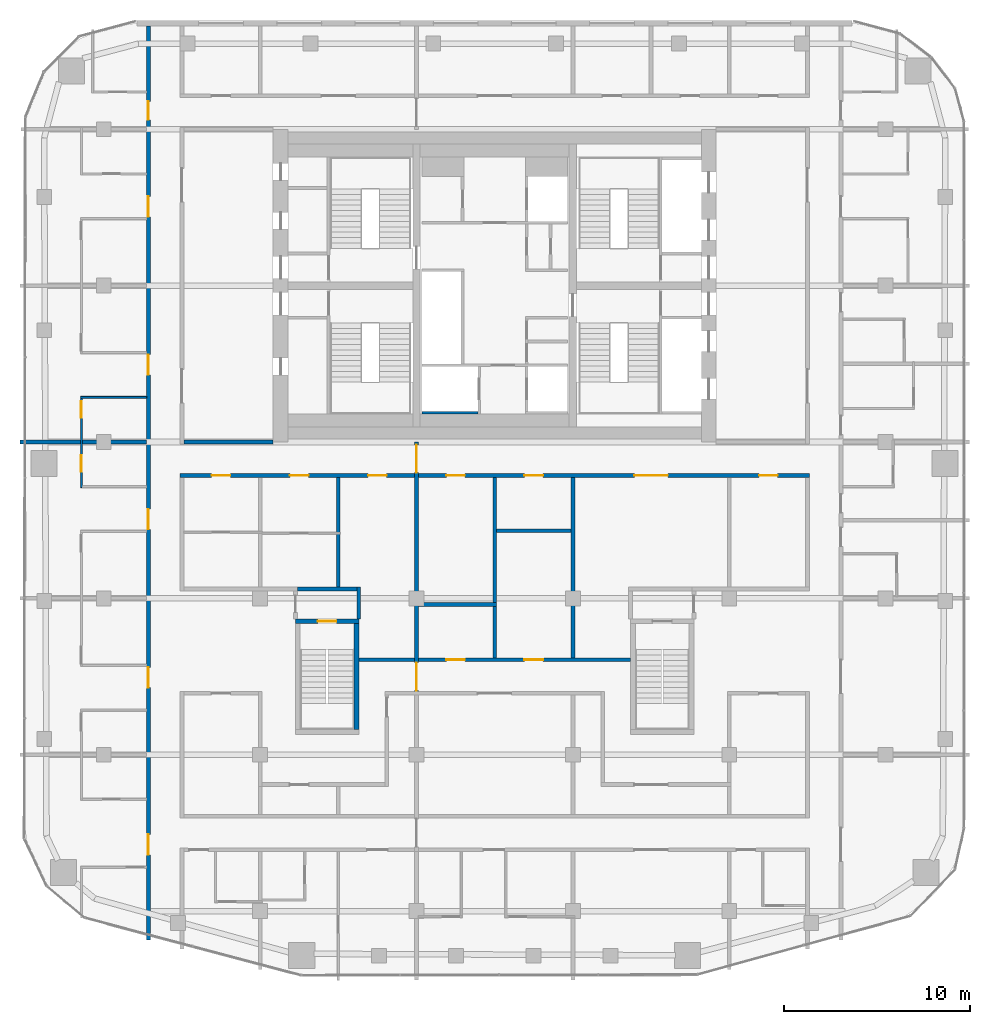
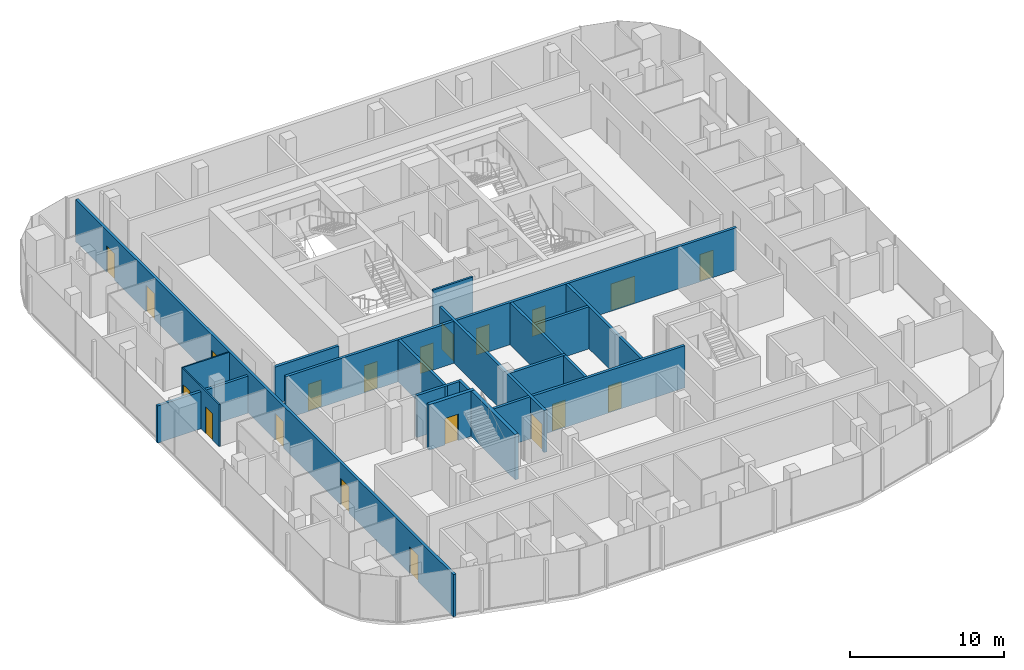
# One storey, part 15 of 21: 20 doors, 18 walls, 20 openings.
"""IFC4 building model written with IfcOpenShell, lengths in metres."""

from ifc_helpers import new_model, si_unit, direction, frame, frame_2d, origin, place, context, subcontext, project, spatial, rectangle, extrude, material, layer, layer_set, type_object, element, fill, save


model = new_model("IFC4")

# Units and contexts
model_context = context("Model", 3, precision=1e-05, world=origin(), true_north=direction((0.0, 1.0)))
body_context = subcontext(model_context, "Body", "Model", "MODEL_VIEW")
ifc_project = project(units=[si_unit("LENGTHUNIT", "METRE"), si_unit("AREAUNIT", "SQUARE_METRE"), si_unit("VOLUMEUNIT", "CUBIC_METRE"), si_unit("PLANEANGLEUNIT", "RADIAN"), si_unit("MASSUNIT", "GRAM", prefix="KILO")], contexts=[model_context])

# Site, building, storey
site_placement = place(None, origin())
site = spatial("IfcSite", under=ifc_project, at=site_placement, CompositionType="ELEMENT")
building_placement = place(site_placement, origin())
building = spatial("IfcBuilding", under=site, at=building_placement, Name="Marenta Gate Hotel Tower", CompositionType="ELEMENT")
storey_placement = place(building_placement, frame((0.0, 0.0, 245.300048828125)))
storey = spatial("IfcBuildingStorey", under=building, at=storey_placement, Name="L58", CompositionType="ELEMENT", Elevation=245.300048828125)

# Wall, openings, doors
ifc_material_1 = material(Name="Concrete blockwork", Category="masonry")
ifc_layer_1 = layer(ifc_material_1, 0.199951171875)
ifc_layer_set_1 = layer_set([ifc_layer_1], Name="Concrete blockwork")
wall_type_1 = type_object("IfcWallType", Name="Compartment wall 200 REI 180", PredefinedType="PARTITIONING", material=ifc_layer_set_1)
wall_1_placement = place(storey_placement, frame((-4.199951171875, -13.60009765625, 0.0), z_axis=(0.0, 0.0, 1.0), x_axis=(0.0, 1.0, 0.0)))
wall_1 = element("IfcWall", 1, at=wall_1_placement, inside=storey, type_object=wall_type_1, Name="L58-PTN-W071", PredefinedType="PARTITIONING", context=body_context, shape_type="SweptSolid", body=[
    extrude(rectangle(XDim=13.60009765625, YDim=0.199951171875, at=frame_2d((6.800048828125, 0.0))), origin(), (0.0, 0.0, 1.0), 3.33984375),
])
opening_1_placement = place(wall_1_placement, frame((11.949951171875, 0.0, 0.0)))
opening_1 = element("IfcOpeningElement", 2, at=opening_1_placement, cuts=wall_1, Name="Opening G21-FD2", PredefinedType="OPENING", context=body_context, shape_type="SweptSolid", body=[
    extrude(rectangle(XDim=1.5, YDim=2.10009765625, at=frame_2d((0.75, 1.050048828125))), frame((0.0, 0.10009765625, 0.0), z_axis=(0.0, -1.0, 0.0), x_axis=(1.0, 0.0, 0.0)), (0.0, 0.0, 1.0), 0.199951171875),
])
opening_2_placement = place(wall_1_placement, frame((0.25, 0.0, 0.0)))
opening_2 = element("IfcOpeningElement", 3, at=opening_2_placement, cuts=wall_1, Name="Opening G21-FD3", PredefinedType="OPENING", context=body_context, shape_type="SweptSolid", body=[
    extrude(rectangle(XDim=1.5, YDim=2.10009765625, at=frame_2d((0.75, 1.050048828125))), frame((0.0, 0.10009765625, 0.0), z_axis=(0.0, -1.0, 0.0), x_axis=(1.0, 0.0, 0.0)), (0.0, 0.0, 1.0), 0.199951171875),
])
ifc_material_2 = material(Name="Hollow steel door set", Category="steel")
door_type_1 = type_object("IfcDoorType", Name="Compartment fire door 1500x2100 EI 60", OperationType="DOUBLE_DOOR_DOUBLE_SWING", PredefinedType="DOOR", material=ifc_material_2)
door_1_placement = place(opening_1_placement, origin())
door_1 = element("IfcDoor", 4, at=door_1_placement, inside=storey, type_object=door_type_1, Name="L58-PD-FD02", OperationType="DOUBLE_DOOR_DOUBLE_SWING", OverallHeight=2.10009765625, OverallWidth=1.5, PredefinedType="DOOR", context=body_context, shape_type="SweptSolid", body=[
    extrude(rectangle(XDim=1.5, YDim=2.10009765625, at=frame_2d((0.75, 1.050048828125))), frame((0.0, 0.02490234375, 0.0), z_axis=(0.0, -1.0, 0.0), x_axis=(1.0, 0.0, 0.0)), (0.0, 0.0, 1.0), 0.050048828125),
])
fill(opening_1, door_1)
door_2_placement = place(opening_2_placement, origin())
door_2 = element("IfcDoor", 5, at=door_2_placement, inside=storey, type_object=door_type_1, Name="L58-PD-FD03", OperationType="DOUBLE_DOOR_DOUBLE_SWING", OverallHeight=2.10009765625, OverallWidth=1.5, PredefinedType="DOOR", context=body_context, shape_type="SweptSolid", body=[
    extrude(rectangle(XDim=1.5, YDim=2.10009765625, at=frame_2d((0.75, 1.050048828125))), frame((0.0, 0.02490234375, 0.0), z_axis=(0.0, -1.0, 0.0), x_axis=(1.0, 0.0, 0.0)), (0.0, 0.0, 1.0), 0.050048828125),
])
fill(opening_2, door_2)

# Walls
ifc_material_3 = material(Name="Concrete blockwork", Category="masonry")
ifc_layer_2 = layer(ifc_material_3, 0.199951171875)
ifc_layer_set_2 = layer_set([ifc_layer_2], Name="Concrete blockwork")
wall_type_2 = type_object("IfcWallType", Name="Core boundary wall 200 REI 180", PredefinedType="PARTITIONING", material=ifc_layer_set_2)
wall_2_placement = place(storey_placement, frame((-16.699951171875, 0.0, 0.0), z_axis=(0.0, 0.0, 1.0), x_axis=(1.0, 0.0, 0.0)))
element("IfcWall", 6, at=wall_2_placement, inside=storey, type_object=wall_type_2, Name="L58-CP-EW-WS", PredefinedType="PARTITIONING", context=body_context, shape_type="SweptSolid", body=[
    extrude(rectangle(XDim=4.800048828125, YDim=0.199951171875, at=frame_2d((2.39990234375, 0.0))), origin(), (0.0, 0.0, 1.0), 2.93994140625),
])
ifc_material_4 = material(Name="Concrete C40", Category="concrete")
ifc_layer_3 = layer(ifc_material_4, 0.14990234375)
ifc_layer_set_3 = layer_set([ifc_layer_3], Name="Concrete C40")
wall_type_3 = type_object("IfcWallType", Name="Core shaft wall 150 REI 180", PredefinedType="SHEAR", material=ifc_layer_set_3)
wall_3_placement = place(storey_placement, frame((-3.89990234375, 1.574951171875, 0.0), z_axis=(0.0, 0.0, 1.0), x_axis=(1.0, 0.0, 0.0)))
element("IfcWall", 7, at=wall_3_placement, inside=storey, type_object=wall_type_3, Name="L58-SHF-CW-W-ffs", PredefinedType="SHEAR", context=body_context, shape_type="SweptSolid", body=[
    extrude(rectangle(XDim=3.0, YDim=0.14990234375, at=frame_2d((1.5, 0.0))), origin(), (0.0, 0.0, 1.0), 3.599853515625),
])

# Wall, opening, door
ifc_material_5 = material(Name="Concrete C40", Category="concrete")
ifc_layer_4 = layer(ifc_material_5, 0.25)
ifc_layer_set_4 = layer_set([ifc_layer_4], Name="Concrete C40")
wall_type_4 = type_object("IfcWallType", Name="Remote stair enclosure wall 250 REI 180", PredefinedType="SHEAR", material=ifc_layer_set_4)
wall_4_placement = place(storey_placement, frame((-10.699951171875, -9.625, 0.099853515625), z_axis=(0.0, 0.0, 1.0), x_axis=(1.0, 0.0, 0.0)))
wall_4 = element("IfcWall", 8, at=wall_4_placement, inside=storey, type_object=wall_type_4, Name="L58-RS-Z3-1-W2", PredefinedType="SHEAR", context=body_context, shape_type="SweptSolid", body=[
    extrude(rectangle(XDim=3.39990234375, YDim=0.25, at=frame_2d((1.699951171875, 0.0))), origin(), (0.0, 0.0, 1.0), 3.60009765625),
])
opening_3_placement = place(wall_4_placement, frame((1.199951171875, 0.0, 0.0)))
opening_3 = element("IfcOpeningElement", 9, at=opening_3_placement, cuts=wall_4, Name="Opening VD", PredefinedType="OPENING", context=body_context, shape_type="SweptSolid", body=[
    extrude(rectangle(XDim=1.0, YDim=2.10009765625, at=frame_2d((0.5, 1.050048828125))), frame((0.0, 0.125, 0.0), z_axis=(0.0, -1.0, 0.0), x_axis=(1.0, 0.0, 0.0)), (0.0, 0.0, 1.0), 0.25),
])
ifc_material_6 = material(Name="Steel", Category="steel")
door_type_2 = type_object("IfcDoorType", Name="Stair vestibule door 1000x2100 FD60", OperationType="SINGLE_SWING_LEFT", PredefinedType="DOOR", material=ifc_material_6)
door_3_placement = place(opening_3_placement, origin())
door_3 = element("IfcDoor", 10, at=door_3_placement, inside=storey, type_object=door_type_2, Name="VD", OperationType="SINGLE_SWING_LEFT", OverallHeight=2.10009765625, OverallWidth=1.0, PredefinedType="DOOR", context=body_context, shape_type="SweptSolid", body=[
    extrude(rectangle(XDim=1.0, YDim=2.10009765625, at=frame_2d((0.5, 1.050048828125))), frame((0.0, 0.02490234375, 0.0), z_axis=(0.0, -1.0, 0.0), x_axis=(1.0, 0.0, 0.0)), (0.0, 0.0, 1.0), 0.050048828125),
])
fill(opening_3, door_3)

# Wall
wall_5_placement = place(storey_placement, frame((-7.425048828125, -15.449951171875, 0.099853515625), z_axis=(0.0, 0.0, 1.0), x_axis=(0.0, 1.0, 0.0)))
element("IfcWall", 11, at=wall_5_placement, inside=storey, type_object=wall_type_4, Name="L58-RS-Z3-1-W4", PredefinedType="SHEAR", context=body_context, shape_type="SweptSolid", body=[
    extrude(rectangle(XDim=5.699951171875, YDim=0.25, at=frame_2d((2.85009765625, 0.0))), origin(), (0.0, 0.0, 1.0), 3.60009765625),
])

# Wall, openings, doors
ifc_material_7 = material(Name="Concrete blockwork", Category="masonry")
ifc_layer_5 = layer(ifc_material_7, 0.199951171875)
ifc_layer_set_5 = layer_set([ifc_layer_5], Name="Concrete blockwork")
wall_type_5 = type_object("IfcWallType", Name="Room corridor wall 200 EI 120", PredefinedType="PARTITIONING", material=ifc_layer_set_5)
wall_6_placement = place(storey_placement, frame((-16.89990234375, -1.800048828125, 0.0), z_axis=(0.0, 0.0, 1.0), x_axis=(1.0, 0.0, 0.0)))
wall_6 = element("IfcWall", 12, at=wall_6_placement, inside=storey, type_object=wall_type_5, Name="L58-PTN-W061", PredefinedType="PARTITIONING", context=body_context, shape_type="SweptSolid", body=[
    extrude(rectangle(XDim=33.7998046875, YDim=0.199951171875, at=frame_2d((16.89990234375, 0.0))), origin(), (0.0, 0.0, 1.0), 3.33984375),
])
opening_4_placement = place(wall_6_placement, frame((1.699951171875, 0.0, 0.0)))
opening_4 = element("IfcOpeningElement", 13, at=opening_4_placement, cuts=wall_6, Name="Opening G21-01", PredefinedType="OPENING", context=body_context, shape_type="SweptSolid", body=[
    extrude(rectangle(XDim=1.0, YDim=2.10009765625, at=frame_2d((0.5, 1.050048828125))), frame((0.0, 0.10009765625, 0.0), z_axis=(0.0, -1.0, 0.0), x_axis=(1.0, 0.0, 0.0)), (0.0, 0.0, 1.0), 0.199951171875),
])
opening_5_placement = place(wall_6_placement, frame((5.89990234375, 0.0, 0.0)))
opening_5 = element("IfcOpeningElement", 14, at=opening_5_placement, cuts=wall_6, Name="Opening G21-03", PredefinedType="OPENING", context=body_context, shape_type="SweptSolid", body=[
    extrude(rectangle(XDim=1.0, YDim=2.10009765625, at=frame_2d((0.5, 1.050048828125))), frame((0.0, 0.10009765625, 0.0), z_axis=(0.0, -1.0, 0.0), x_axis=(1.0, 0.0, 0.0)), (0.0, 0.0, 1.0), 0.199951171875),
])
opening_6_placement = place(wall_6_placement, frame((10.10009765625, 0.0, 0.0)))
opening_6 = element("IfcOpeningElement", 15, at=opening_6_placement, cuts=wall_6, Name="Opening G21-05", PredefinedType="OPENING", context=body_context, shape_type="SweptSolid", body=[
    extrude(rectangle(XDim=1.0, YDim=2.10009765625, at=frame_2d((0.5, 1.050048828125))), frame((0.0, 0.10009765625, 0.0), z_axis=(0.0, -1.0, 0.0), x_axis=(1.0, 0.0, 0.0)), (0.0, 0.0, 1.0), 0.199951171875),
])
opening_7_placement = place(wall_6_placement, frame((24.39990234375, 0.0, 0.0)))
opening_7 = element("IfcOpeningElement", 16, at=opening_7_placement, cuts=wall_6, Name="Opening G21-06", PredefinedType="OPENING", context=body_context, shape_type="SweptSolid", body=[
    extrude(rectangle(XDim=1.800048828125, YDim=2.10009765625, at=frame_2d((0.89990234375, 1.050048828125))), frame((0.0, 0.10009765625, 0.0), z_axis=(0.0, -1.0, 0.0), x_axis=(1.0, 0.0, 0.0)), (0.0, 0.0, 1.0), 0.199951171875),
])
opening_8_placement = place(wall_6_placement, frame((31.10009765625, 0.0, 0.0)))
opening_8 = element("IfcOpeningElement", 17, at=opening_8_placement, cuts=wall_6, Name="Opening G21-07", PredefinedType="OPENING", context=body_context, shape_type="SweptSolid", body=[
    extrude(rectangle(XDim=1.0, YDim=2.10009765625, at=frame_2d((0.5, 1.050048828125))), frame((0.0, 0.10009765625, 0.0), z_axis=(0.0, -1.0, 0.0), x_axis=(1.0, 0.0, 0.0)), (0.0, 0.0, 1.0), 0.199951171875),
])
opening_9_placement = place(wall_6_placement, frame((14.300048828125, 0.0, 0.0)))
opening_9 = element("IfcOpeningElement", 18, at=opening_9_placement, cuts=wall_6, Name="Opening G21-64", PredefinedType="OPENING", context=body_context, shape_type="SweptSolid", body=[
    extrude(rectangle(XDim=1.0, YDim=2.10009765625, at=frame_2d((0.5, 1.050048828125))), frame((0.0, 0.10009765625, 0.0), z_axis=(0.0, -1.0, 0.0), x_axis=(1.0, 0.0, 0.0)), (0.0, 0.0, 1.0), 0.199951171875),
])
opening_10_placement = place(wall_6_placement, frame((18.5, 0.0, 0.0)))
opening_10 = element("IfcOpeningElement", 19, at=opening_10_placement, cuts=wall_6, Name="Opening G21-68", PredefinedType="OPENING", context=body_context, shape_type="SweptSolid", body=[
    extrude(rectangle(XDim=1.0, YDim=2.10009765625, at=frame_2d((0.5, 1.050048828125))), frame((0.0, 0.10009765625, 0.0), z_axis=(0.0, -1.0, 0.0), x_axis=(1.0, 0.0, 0.0)), (0.0, 0.0, 1.0), 0.199951171875),
])
ifc_material_8 = material(Name="Timber door leaf", Category="wood")
door_type_3 = type_object("IfcDoorType", Name="Room amenity door 1000x2100 EI 60", OperationType="NOTDEFINED", PredefinedType="DOOR", material=ifc_material_8)
door_4_placement = place(opening_6_placement, origin())
door_4 = element("IfcDoor", 20, at=door_4_placement, inside=storey, type_object=door_type_3, Name="L58-PD-D005", OperationType="SINGLE_SWING_RIGHT", OverallHeight=2.10009765625, OverallWidth=1.0, PredefinedType="DOOR", context=body_context, shape_type="SweptSolid", body=[
    extrude(rectangle(XDim=1.0, YDim=2.10009765625, at=frame_2d((0.5, 1.050048828125))), frame((0.0, 0.02490234375, 0.0), z_axis=(0.0, -1.0, 0.0), x_axis=(1.0, 0.0, 0.0)), (0.0, 0.0, 1.0), 0.050048828125),
])
fill(opening_6, door_4)
door_5_placement = place(opening_8_placement, origin())
door_5 = element("IfcDoor", 21, at=door_5_placement, inside=storey, type_object=door_type_3, Name="L58-PD-D007", OperationType="SINGLE_SWING_RIGHT", OverallHeight=2.10009765625, OverallWidth=1.0, PredefinedType="DOOR", context=body_context, shape_type="SweptSolid", body=[
    extrude(rectangle(XDim=1.0, YDim=2.10009765625, at=frame_2d((0.5, 1.050048828125))), frame((0.0, 0.02490234375, 0.0), z_axis=(0.0, -1.0, 0.0), x_axis=(1.0, 0.0, 0.0)), (0.0, 0.0, 1.0), 0.050048828125),
])
fill(opening_8, door_5)
door_6_placement = place(opening_9_placement, origin())
door_6 = element("IfcDoor", 22, at=door_6_placement, inside=storey, type_object=door_type_3, Name="L58-PD-D064", OperationType="SINGLE_SWING_LEFT", OverallHeight=2.10009765625, OverallWidth=1.0, PredefinedType="DOOR", context=body_context, shape_type="SweptSolid", body=[
    extrude(rectangle(XDim=1.0, YDim=2.10009765625, at=frame_2d((0.5, 1.050048828125))), frame((0.0, 0.02490234375, 0.0), z_axis=(0.0, -1.0, 0.0), x_axis=(1.0, 0.0, 0.0)), (0.0, 0.0, 1.0), 0.050048828125),
])
fill(opening_9, door_6)
door_7_placement = place(opening_10_placement, origin())
door_7 = element("IfcDoor", 23, at=door_7_placement, inside=storey, type_object=door_type_3, Name="L58-PD-D068", OperationType="SINGLE_SWING_LEFT", OverallHeight=2.10009765625, OverallWidth=1.0, PredefinedType="DOOR", context=body_context, shape_type="SweptSolid", body=[
    extrude(rectangle(XDim=1.0, YDim=2.10009765625, at=frame_2d((0.5, 1.050048828125))), frame((0.0, 0.02490234375, 0.0), z_axis=(0.0, -1.0, 0.0), x_axis=(1.0, 0.0, 0.0)), (0.0, 0.0, 1.0), 0.050048828125),
])
fill(opening_10, door_7)
ifc_material_9 = material(Name="Timber door leaf", Category="wood")
door_type_4 = type_object("IfcDoorType", Name="Room amenity door 1800x2100 EI 60", OperationType="DOUBLE_DOOR_SINGLE_SWING", PredefinedType="DOOR", material=ifc_material_9)
door_8_placement = place(opening_7_placement, origin())
door_8 = element("IfcDoor", 24, at=door_8_placement, inside=storey, type_object=door_type_4, Name="L58-PD-D006", OperationType="DOUBLE_DOOR_SINGLE_SWING", OverallHeight=2.10009765625, OverallWidth=1.800048828125, PredefinedType="DOOR", context=body_context, shape_type="SweptSolid", body=[
    extrude(rectangle(XDim=1.800048828125, YDim=2.10009765625, at=frame_2d((0.89990234375, 1.050048828125))), frame((0.0, 0.02490234375, 0.0), z_axis=(0.0, -1.0, 0.0), x_axis=(1.0, 0.0, 0.0)), (0.0, 0.0, 1.0), 0.050048828125),
])
fill(opening_7, door_8)
ifc_material_10 = material(Name="Hollow steel door set", Category="steel")
door_type_5 = type_object("IfcDoorType", Name="Room service door 1000x2100 EI 60", OperationType="NOTDEFINED", PredefinedType="DOOR", material=ifc_material_10)
door_9_placement = place(opening_4_placement, origin())
door_9 = element("IfcDoor", 25, at=door_9_placement, inside=storey, type_object=door_type_5, Name="L58-PD-D001", OperationType="SINGLE_SWING_LEFT", OverallHeight=2.10009765625, OverallWidth=1.0, PredefinedType="DOOR", context=body_context, shape_type="SweptSolid", body=[
    extrude(rectangle(XDim=1.0, YDim=2.10009765625, at=frame_2d((0.5, 1.050048828125))), frame((0.0, 0.02490234375, 0.0), z_axis=(0.0, -1.0, 0.0), x_axis=(1.0, 0.0, 0.0)), (0.0, 0.0, 1.0), 0.050048828125),
])
fill(opening_4, door_9)
door_10_placement = place(opening_5_placement, origin())
door_10 = element("IfcDoor", 26, at=door_10_placement, inside=storey, type_object=door_type_5, Name="L58-PD-D003", OperationType="SINGLE_SWING_LEFT", OverallHeight=2.10009765625, OverallWidth=1.0, PredefinedType="DOOR", context=body_context, shape_type="SweptSolid", body=[
    extrude(rectangle(XDim=1.0, YDim=2.10009765625, at=frame_2d((0.5, 1.050048828125))), frame((0.0, 0.02490234375, 0.0), z_axis=(0.0, -1.0, 0.0), x_axis=(1.0, 0.0, 0.0)), (0.0, 0.0, 1.0), 0.050048828125),
])
fill(opening_5, door_10)

ifc_material_11 = material(Name="Gypsum board on steel stud", Category="steel")
ifc_layer_6 = layer(ifc_material_11, 0.199951171875)
ifc_layer_set_6 = layer_set([ifc_layer_6], Name="Gypsum board on steel stud")
wall_type_6 = type_object("IfcWallType", Name="Room corridor wall 200 EI 60", PredefinedType="PARTITIONING", material=ifc_layer_set_6)
wall_7_placement = place(storey_placement, frame((-7.300048828125, -11.699951171875, 0.0), z_axis=(0.0, 0.0, 1.0), x_axis=(1.0, 0.0, 0.0)))
wall_7 = element("IfcWall", 27, at=wall_7_placement, inside=storey, type_object=wall_type_6, Name="L58-PTN-W037", PredefinedType="PARTITIONING", context=body_context, shape_type="SweptSolid", body=[
    extrude(rectangle(XDim=14.60009765625, YDim=0.199951171875, at=frame_2d((7.300048828125, 0.0))), origin(), (0.0, 0.0, 1.0), 3.33984375),
])
opening_11_placement = place(wall_7_placement, frame((4.699951171875, 0.0, 0.0)))
opening_11 = element("IfcOpeningElement", 28, at=opening_11_placement, cuts=wall_7, Name="Opening G21-63", PredefinedType="OPENING", context=body_context, shape_type="SweptSolid", body=[
    extrude(rectangle(XDim=1.0, YDim=2.10009765625, at=frame_2d((0.5, 1.050048828125))), frame((0.0, 0.10009765625, 0.0), z_axis=(0.0, -1.0, 0.0), x_axis=(1.0, 0.0, 0.0)), (0.0, 0.0, 1.0), 0.199951171875),
])
opening_12_placement = place(wall_7_placement, frame((8.89990234375, 0.0, 0.0)))
opening_12 = element("IfcOpeningElement", 29, at=opening_12_placement, cuts=wall_7, Name="Opening G21-67", PredefinedType="OPENING", context=body_context, shape_type="SweptSolid", body=[
    extrude(rectangle(XDim=1.0, YDim=2.10009765625, at=frame_2d((0.5, 1.050048828125))), frame((0.0, 0.10009765625, 0.0), z_axis=(0.0, -1.0, 0.0), x_axis=(1.0, 0.0, 0.0)), (0.0, 0.0, 1.0), 0.199951171875),
])
ifc_material_12 = material(Name="Timber door leaf", Category="wood")
door_type_6 = type_object("IfcDoorType", Name="Room amenity door 1000x2100 EI 30", OperationType="NOTDEFINED", PredefinedType="DOOR", material=ifc_material_12)
door_11_placement = place(opening_11_placement, origin())
door_11 = element("IfcDoor", 30, at=door_11_placement, inside=storey, type_object=door_type_6, Name="L58-PD-D063", OperationType="SINGLE_SWING_LEFT", OverallHeight=2.10009765625, OverallWidth=1.0, PredefinedType="DOOR", context=body_context, shape_type="SweptSolid", body=[
    extrude(rectangle(XDim=1.0, YDim=2.10009765625, at=frame_2d((0.5, 1.050048828125))), frame((0.0, 0.02490234375, 0.0), z_axis=(0.0, -1.0, 0.0), x_axis=(1.0, 0.0, 0.0)), (0.0, 0.0, 1.0), 0.050048828125),
])
fill(opening_11, door_11)
door_12_placement = place(opening_12_placement, origin())
door_12 = element("IfcDoor", 31, at=door_12_placement, inside=storey, type_object=door_type_6, Name="L58-PD-D067", OperationType="SINGLE_SWING_LEFT", OverallHeight=2.10009765625, OverallWidth=1.0, PredefinedType="DOOR", context=body_context, shape_type="SweptSolid", body=[
    extrude(rectangle(XDim=1.0, YDim=2.10009765625, at=frame_2d((0.5, 1.050048828125))), frame((0.0, 0.02490234375, 0.0), z_axis=(0.0, -1.0, 0.0), x_axis=(1.0, 0.0, 0.0)), (0.0, 0.0, 1.0), 0.050048828125),
])
fill(opening_12, door_12)

wall_8_placement = place(storey_placement, frame((-18.60009765625, -26.7509765625, 0.0), z_axis=(0.0, 0.0, 1.0), x_axis=(0.0, 1.0, 0.0)))
wall_8 = element("IfcWall", 32, at=wall_8_placement, inside=storey, type_object=wall_type_6, Name="L58-PTN-W101", PredefinedType="PARTITIONING", context=body_context, shape_type="SweptSolid", body=[
    extrude(rectangle(XDim=49.091064453125, YDim=0.199951171875, at=frame_2d((24.54541015625, 0.0))), origin(), (0.0, 0.0, 1.0), 3.33984375),
])
opening_13_placement = place(wall_8_placement, frame((4.575927734375, 0.0, 0.0)))
opening_13 = element("IfcOpeningElement", 33, at=opening_13_placement, cuts=wall_8, Name="Opening G21-44", PredefinedType="OPENING", context=body_context, shape_type="SweptSolid", body=[
    extrude(rectangle(XDim=1.10009765625, YDim=2.10009765625, at=frame_2d((0.550048828125, 1.050048828125))), frame((0.0, 0.10009765625, 0.0), z_axis=(0.0, -1.0, 0.0), x_axis=(1.0, 0.0, 0.0)), (0.0, 0.0, 1.0), 0.199951171875),
])
opening_14_placement = place(wall_8_placement, frame((13.551025390625, 0.0, 0.0)))
opening_14 = element("IfcOpeningElement", 34, at=opening_14_placement, cuts=wall_8, Name="Opening G21-47", PredefinedType="OPENING", context=body_context, shape_type="SweptSolid", body=[
    extrude(rectangle(XDim=1.10009765625, YDim=2.10009765625, at=frame_2d((0.550048828125, 1.050048828125))), frame((0.0, 0.10009765625, 0.0), z_axis=(0.0, -1.0, 0.0), x_axis=(1.0, 0.0, 0.0)), (0.0, 0.0, 1.0), 0.199951171875),
])
opening_15_placement = place(wall_8_placement, frame((22.051025390625, 0.0, 0.0)))
opening_15 = element("IfcOpeningElement", 35, at=opening_15_placement, cuts=wall_8, Name="Opening G21-50", PredefinedType="OPENING", context=body_context, shape_type="SweptSolid", body=[
    extrude(rectangle(XDim=1.10009765625, YDim=2.10009765625, at=frame_2d((0.550048828125, 1.050048828125))), frame((0.0, 0.10009765625, 0.0), z_axis=(0.0, -1.0, 0.0), x_axis=(1.0, 0.0, 0.0)), (0.0, 0.0, 1.0), 0.199951171875),
])
opening_16_placement = place(wall_8_placement, frame((30.35107421875, 0.0, 0.0)))
opening_16 = element("IfcOpeningElement", 36, at=opening_16_placement, cuts=wall_8, Name="Opening G21-53", PredefinedType="OPENING", context=body_context, shape_type="SweptSolid", body=[
    extrude(rectangle(XDim=1.10009765625, YDim=2.10009765625, at=frame_2d((0.550048828125, 1.050048828125))), frame((0.0, 0.10009765625, 0.0), z_axis=(0.0, -1.0, 0.0), x_axis=(1.0, 0.0, 0.0)), (0.0, 0.0, 1.0), 0.199951171875),
])
opening_17_placement = place(wall_8_placement, frame((38.85107421875, 0.0, 0.0)))
opening_17 = element("IfcOpeningElement", 37, at=opening_17_placement, cuts=wall_8, Name="Opening G21-56", PredefinedType="OPENING", context=body_context, shape_type="SweptSolid", body=[
    extrude(rectangle(XDim=1.10009765625, YDim=2.10009765625, at=frame_2d((0.550048828125, 1.050048828125))), frame((0.0, 0.10009765625, 0.0), z_axis=(0.0, -1.0, 0.0), x_axis=(1.0, 0.0, 0.0)), (0.0, 0.0, 1.0), 0.199951171875),
])
opening_18_placement = place(wall_8_placement, frame((44.051025390625, 0.0, 0.0)))
opening_18 = element("IfcOpeningElement", 38, at=opening_18_placement, cuts=wall_8, Name="Opening G21-59", PredefinedType="OPENING", context=body_context, shape_type="SweptSolid", body=[
    extrude(rectangle(XDim=1.0, YDim=2.10009765625, at=frame_2d((0.5, 1.050048828125))), frame((0.0, 0.10009765625, 0.0), z_axis=(0.0, -1.0, 0.0), x_axis=(1.0, 0.0, 0.0)), (0.0, 0.0, 1.0), 0.199951171875),
])
ifc_material_13 = material(Name="Timber door leaf", Category="wood")
door_type_7 = type_object("IfcDoorType", Name="Guest room door 1000x2100 EI 30", OperationType="NOTDEFINED", PredefinedType="DOOR", material=ifc_material_13)
door_13_placement = place(opening_18_placement, origin())
door_13 = element("IfcDoor", 39, at=door_13_placement, inside=storey, type_object=door_type_7, Name="L58-PD-D059", OperationType="SINGLE_SWING_RIGHT", OverallHeight=2.10009765625, OverallWidth=1.0, PredefinedType="DOOR", context=body_context, shape_type="SweptSolid", body=[
    extrude(rectangle(XDim=1.0, YDim=2.10009765625, at=frame_2d((0.5, 1.050048828125))), frame((0.0, 0.02490234375, 0.0), z_axis=(0.0, -1.0, 0.0), x_axis=(1.0, 0.0, 0.0)), (0.0, 0.0, 1.0), 0.050048828125),
])
fill(opening_18, door_13)
ifc_material_14 = material(Name="Timber door leaf", Category="wood")
door_type_8 = type_object("IfcDoorType", Name="Guest room door 1100x2100 EI 30", OperationType="NOTDEFINED", PredefinedType="DOOR", material=ifc_material_14)
door_14_placement = place(opening_13_placement, origin())
door_14 = element("IfcDoor", 40, at=door_14_placement, inside=storey, type_object=door_type_8, Name="L58-PD-D044", OperationType="SINGLE_SWING_LEFT", OverallHeight=2.10009765625, OverallWidth=1.10009765625, PredefinedType="DOOR", context=body_context, shape_type="SweptSolid", body=[
    extrude(rectangle(XDim=1.10009765625, YDim=2.10009765625, at=frame_2d((0.550048828125, 1.050048828125))), frame((0.0, 0.02490234375, 0.0), z_axis=(0.0, -1.0, 0.0), x_axis=(1.0, 0.0, 0.0)), (0.0, 0.0, 1.0), 0.050048828125),
])
fill(opening_13, door_14)
door_15_placement = place(opening_14_placement, origin())
door_15 = element("IfcDoor", 41, at=door_15_placement, inside=storey, type_object=door_type_8, Name="L58-PD-D047", OperationType="SINGLE_SWING_RIGHT", OverallHeight=2.10009765625, OverallWidth=1.10009765625, PredefinedType="DOOR", context=body_context, shape_type="SweptSolid", body=[
    extrude(rectangle(XDim=1.10009765625, YDim=2.10009765625, at=frame_2d((0.550048828125, 1.050048828125))), frame((0.0, 0.02490234375, 0.0), z_axis=(0.0, -1.0, 0.0), x_axis=(1.0, 0.0, 0.0)), (0.0, 0.0, 1.0), 0.050048828125),
])
fill(opening_14, door_15)
door_16_placement = place(opening_15_placement, origin())
door_16 = element("IfcDoor", 42, at=door_16_placement, inside=storey, type_object=door_type_8, Name="L58-PD-D050", OperationType="SINGLE_SWING_LEFT", OverallHeight=2.10009765625, OverallWidth=1.10009765625, PredefinedType="DOOR", context=body_context, shape_type="SweptSolid", body=[
    extrude(rectangle(XDim=1.10009765625, YDim=2.10009765625, at=frame_2d((0.550048828125, 1.050048828125))), frame((0.0, 0.02490234375, 0.0), z_axis=(0.0, -1.0, 0.0), x_axis=(1.0, 0.0, 0.0)), (0.0, 0.0, 1.0), 0.050048828125),
])
fill(opening_15, door_16)
door_17_placement = place(opening_16_placement, origin())
door_17 = element("IfcDoor", 43, at=door_17_placement, inside=storey, type_object=door_type_8, Name="L58-PD-D053", OperationType="SINGLE_SWING_RIGHT", OverallHeight=2.10009765625, OverallWidth=1.10009765625, PredefinedType="DOOR", context=body_context, shape_type="SweptSolid", body=[
    extrude(rectangle(XDim=1.10009765625, YDim=2.10009765625, at=frame_2d((0.550048828125, 1.050048828125))), frame((0.0, 0.02490234375, 0.0), z_axis=(0.0, -1.0, 0.0), x_axis=(1.0, 0.0, 0.0)), (0.0, 0.0, 1.0), 0.050048828125),
])
fill(opening_16, door_17)
door_18_placement = place(opening_17_placement, origin())
door_18 = element("IfcDoor", 44, at=door_18_placement, inside=storey, type_object=door_type_8, Name="L58-PD-D056", OperationType="SINGLE_SWING_LEFT", OverallHeight=2.10009765625, OverallWidth=1.10009765625, PredefinedType="DOOR", context=body_context, shape_type="SweptSolid", body=[
    extrude(rectangle(XDim=1.10009765625, YDim=2.10009765625, at=frame_2d((0.550048828125, 1.050048828125))), frame((0.0, 0.02490234375, 0.0), z_axis=(0.0, -1.0, 0.0), x_axis=(1.0, 0.0, 0.0)), (0.0, 0.0, 1.0), 0.050048828125),
])
fill(opening_17, door_18)

# Wall
ifc_material_15 = material(Name="Gypsum board on steel stud", Category="steel")
ifc_layer_7 = layer(ifc_material_15, 0.10009765625)
ifc_layer_set_7 = layer_set([ifc_layer_7], Name="Gypsum board on steel stud")
wall_type_7 = type_object("IfcWallType", Name="Room partition 100", PredefinedType="PARTITIONING", material=ifc_layer_set_7)
wall_9_placement = place(storey_placement, frame((-22.25, 2.39990234375, 0.0), z_axis=(0.0, 0.0, 1.0), x_axis=(1.0, 0.0, 0.0)))
element("IfcWall", 45, at=wall_9_placement, inside=storey, type_object=wall_type_7, Name="L58-PTN-W068", PredefinedType="PARTITIONING", context=body_context, shape_type="SweptSolid", body=[
    extrude(rectangle(XDim=3.550048828125, YDim=0.10009765625, at=frame_2d((1.77490234375, 0.0))), origin(), (0.0, 0.0, 1.0), 3.33984375),
])

# Wall, openings, doors
wall_10_placement = place(storey_placement, frame((-22.199951171875, -2.449951171875, 0.0), z_axis=(0.0, 0.0, 1.0), x_axis=(0.0, 1.0, 0.0)))
wall_10 = element("IfcWall", 46, at=wall_10_placement, inside=storey, type_object=wall_type_7, Name="L58-PTN-W109", PredefinedType="PARTITIONING", context=body_context, shape_type="SweptSolid", body=[
    extrude(rectangle(XDim=4.800048828125, YDim=0.10009765625, at=frame_2d((2.39990234375, 0.0))), origin(), (0.0, 0.0, 1.0), 3.33984375),
])
opening_19_placement = place(wall_10_placement, frame((0.85009765625, 0.0, 0.0)))
opening_19 = element("IfcOpeningElement", 47, at=opening_19_placement, cuts=wall_10, Name="Opening G21-52", PredefinedType="OPENING", context=body_context, shape_type="SweptSolid", body=[
    extrude(rectangle(XDim=0.89990234375, YDim=2.10009765625, at=frame_2d((0.449951171875, 1.050048828125))), frame((0.0, 0.050048828125, 0.0), z_axis=(0.0, -1.0, 0.0), x_axis=(1.0, 0.0, 0.0)), (0.0, 0.0, 1.0), 0.10009765625),
])
opening_20_placement = place(wall_10_placement, frame((3.75, 0.0, 0.0)))
opening_20 = element("IfcOpeningElement", 48, at=opening_20_placement, cuts=wall_10, Name="Opening G21-55", PredefinedType="OPENING", context=body_context, shape_type="SweptSolid", body=[
    extrude(rectangle(XDim=0.89990234375, YDim=2.10009765625, at=frame_2d((0.449951171875, 1.050048828125))), frame((0.0, 0.050048828125, 0.0), z_axis=(0.0, -1.0, 0.0), x_axis=(1.0, 0.0, 0.0)), (0.0, 0.0, 1.0), 0.10009765625),
])
ifc_material_16 = material(Name="Timber door leaf", Category="wood")
door_type_9 = type_object("IfcDoorType", Name="Room inner door 900x2100", OperationType="NOTDEFINED", PredefinedType="DOOR", material=ifc_material_16)
door_19_placement = place(opening_19_placement, origin())
door_19 = element("IfcDoor", 49, at=door_19_placement, inside=storey, type_object=door_type_9, Name="L58-PD-D052", OperationType="SINGLE_SWING_LEFT", OverallHeight=2.10009765625, OverallWidth=0.89990234375, PredefinedType="DOOR", context=body_context, shape_type="SweptSolid", body=[
    extrude(rectangle(XDim=0.89990234375, YDim=2.10009765625, at=frame_2d((0.449951171875, 1.050048828125))), frame((0.0, 0.02490234375, 0.0), z_axis=(0.0, -1.0, 0.0), x_axis=(1.0, 0.0, 0.0)), (0.0, 0.0, 1.0), 0.050048828125),
])
fill(opening_19, door_19)
door_20_placement = place(opening_20_placement, origin())
door_20 = element("IfcDoor", 50, at=door_20_placement, inside=storey, type_object=door_type_9, Name="L58-PD-D055", OperationType="SINGLE_SWING_LEFT", OverallHeight=2.10009765625, OverallWidth=0.89990234375, PredefinedType="DOOR", context=body_context, shape_type="SweptSolid", body=[
    extrude(rectangle(XDim=0.89990234375, YDim=2.10009765625, at=frame_2d((0.449951171875, 1.050048828125))), frame((0.0, 0.02490234375, 0.0), z_axis=(0.0, -1.0, 0.0), x_axis=(1.0, 0.0, 0.0)), (0.0, 0.0, 1.0), 0.050048828125),
])
fill(opening_20, door_20)

# Walls
ifc_material_17 = material(Name="Concrete blockwork", Category="masonry")
ifc_layer_8 = layer(ifc_material_17, 0.199951171875)
ifc_layer_set_8 = layer_set([ifc_layer_8], Name="Concrete blockwork")
wall_type_8 = type_object("IfcWallType", Name="Room party wall 200 EI 120", PredefinedType="PARTITIONING", material=ifc_layer_set_8)
wall_11_placement = place(storey_placement, frame((-8.39990234375, -8.0, 0.0), z_axis=(0.0, 0.0, 1.0), x_axis=(0.0, 1.0, 0.0)))
element("IfcWall", 51, at=wall_11_placement, inside=storey, type_object=wall_type_8, Name="L58-PTN-W080", PredefinedType="PARTITIONING", context=body_context, shape_type="SweptSolid", body=[
    extrude(rectangle(XDim=6.10009765625, YDim=0.199951171875, at=frame_2d((3.050048828125, 0.0))), origin(), (0.0, 0.0, 1.0), 3.33984375),
])
ifc_material_18 = material(Name="Gypsum board on steel stud", Category="steel")
ifc_layer_9 = layer(ifc_material_18, 0.199951171875)
ifc_layer_set_9 = layer_set([ifc_layer_9], Name="Gypsum board on steel stud")
wall_type_9 = type_object("IfcWallType", Name="Room party wall 200 EI 60", PredefinedType="PARTITIONING", material=ifc_layer_set_9)
wall_12_placement = place(storey_placement, frame((-4.10009765625, -8.72998046875, 0.0), z_axis=(0.0, 0.0, 1.0), x_axis=(1.0, 0.0, 0.0)))
element("IfcWall", 52, at=wall_12_placement, inside=storey, type_object=wall_type_9, Name="L58-PTN-W039", PredefinedType="PARTITIONING", context=body_context, shape_type="SweptSolid", body=[
    extrude(rectangle(XDim=4.2001953125, YDim=0.199951171875, at=frame_2d((2.10009765625, 0.0))), origin(), (0.0, 0.0, 1.0), 3.33984375),
])
wall_13_placement = place(storey_placement, frame((0.10009765625, -4.77001953125, 0.0), z_axis=(0.0, 0.0, 1.0), x_axis=(1.0, 0.0, 0.0)))
element("IfcWall", 53, at=wall_13_placement, inside=storey, type_object=wall_type_9, Name="L58-PTN-W053", PredefinedType="PARTITIONING", context=body_context, shape_type="SweptSolid", body=[
    extrude(rectangle(XDim=4.0, YDim=0.199951171875, at=frame_2d((2.0, 0.0))), origin(), (0.0, 0.0, 1.0), 3.33984375),
])
for number, where, z_axis, x_axis, name in (
    (54, (4.199951171875, -11.60009765625, 0.0), (0.0, 0.0, 1.0), (0.0, 1.0, 0.0), "L58-PTN-W056"),
    (55, (0.0, -11.60009765625, 0.0), (0.0, 0.0, 1.0), (0.0, 1.0, 0.0), "L58-PTN-W063"),
):
    element("IfcWall", number, at=place(storey_placement, frame(where, z_axis=z_axis, x_axis=x_axis)), inside=storey, type_object=wall_type_9, Name=name, PredefinedType="PARTITIONING", context=body_context, shape_type="SweptSolid", body=[
        extrude(rectangle(XDim=9.7001953125, YDim=0.199951171875, at=frame_2d((4.85009765625, 0.0))), origin(), (0.0, 0.0, 1.0), 3.33984375),
    ])
wall_14_placement = place(storey_placement, frame((-25.5, 0.0, 0.0), z_axis=(0.0, 0.0, 1.0), x_axis=(1.0, 0.0, 0.0)))
element("IfcWall", 56, at=wall_14_placement, inside=storey, type_object=wall_type_9, Name="L58-PTN-W064", PredefinedType="PARTITIONING", context=body_context, shape_type="SweptSolid", body=[
    extrude(rectangle(XDim=6.800048828125, YDim=0.199951171875, at=frame_2d((3.39990234375, 0.0))), origin(), (0.0, 0.0, 1.0), 2.93994140625),
])
ifc_material_19 = material(Name="Concrete blockwork", Category="masonry")
ifc_layer_10 = layer(ifc_material_19, 0.199951171875)
ifc_layer_set_10 = layer_set([ifc_layer_10], Name="Concrete blockwork")
wall_type_10 = type_object("IfcWallType", Name="Room party wall 200 REI 180", PredefinedType="PARTITIONING", material=ifc_layer_set_10)
wall_15_placement = place(storey_placement, frame((-10.60009765625, -7.89990234375, 0.0), z_axis=(0.0, 0.0, 1.0), x_axis=(1.0, 0.0, 0.0)))
element("IfcWall", 57, at=wall_15_placement, inside=storey, type_object=wall_type_10, Name="L58-PTN-W045", PredefinedType="PARTITIONING", context=body_context, shape_type="SweptSolid", body=[
    extrude(rectangle(XDim=3.2001953125, YDim=0.199951171875, at=frame_2d((1.60009765625, 0.0))), origin(), (0.0, 0.0, 1.0), 3.33984375),
])
wall_16_placement = place(storey_placement, frame((-7.300048828125, -9.5, 0.0), z_axis=(0.0, 0.0, 1.0), x_axis=(0.0, 1.0, 0.0)))
element("IfcWall", 58, at=wall_16_placement, inside=storey, type_object=wall_type_10, Name="L58-PTN-W077", PredefinedType="PARTITIONING", context=body_context, shape_type="SweptSolid", body=[
    extrude(rectangle(XDim=1.699951171875, YDim=0.199951171875, at=frame_2d((0.85009765625, 0.0))), origin(), (0.0, 0.0, 1.0), 3.33984375),
])

save(model, "model.ifc")
